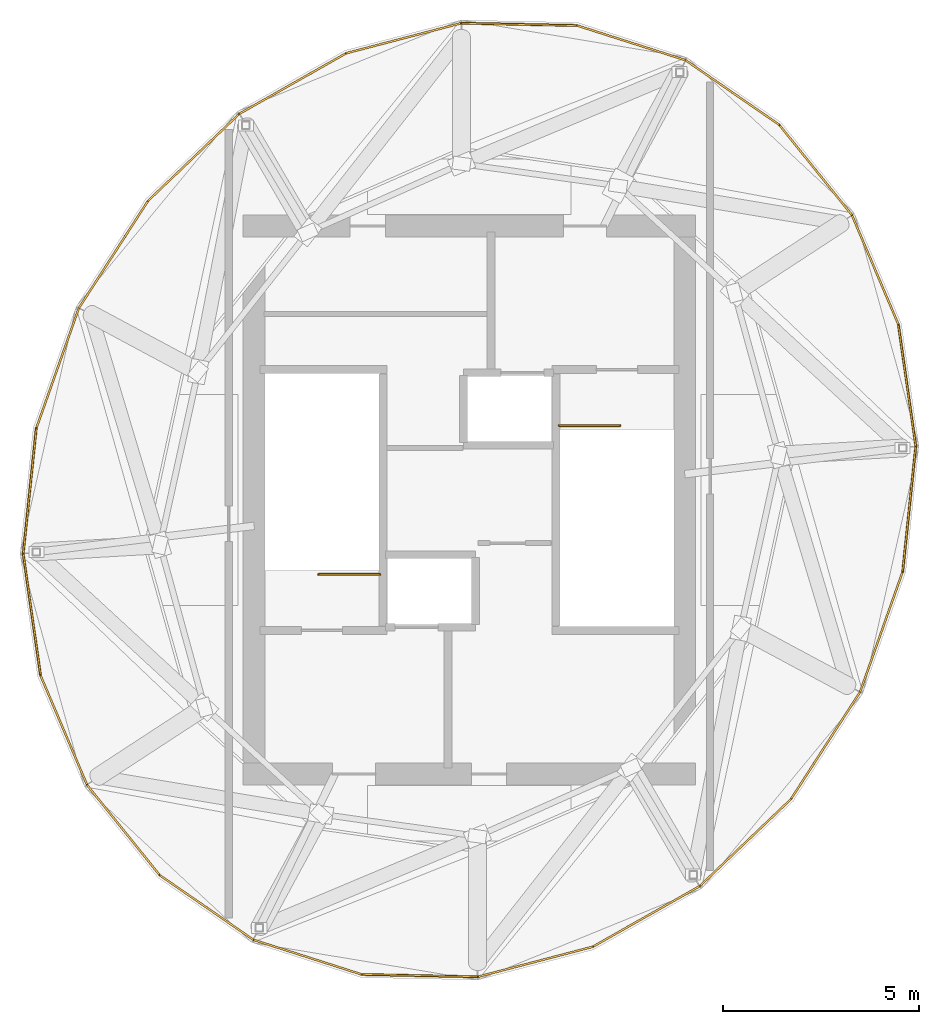
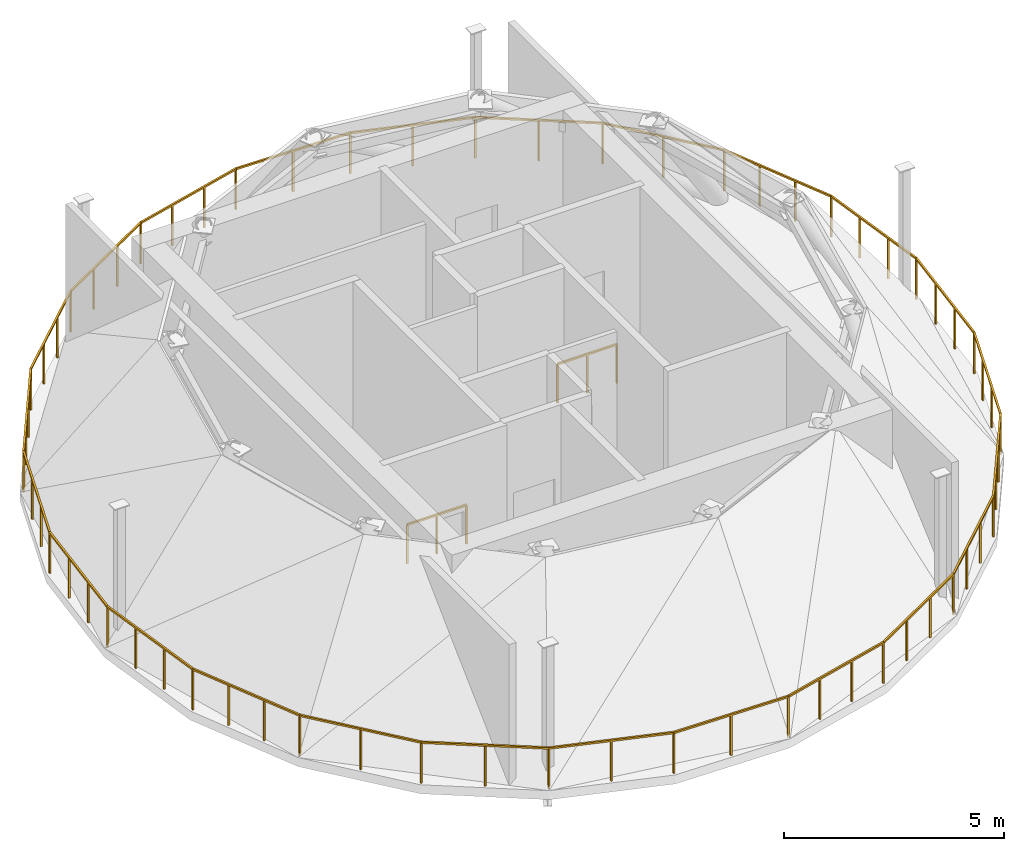
# One storey, part 4 of 4: 26 railings.
"""IFC4 building model written with IfcOpenShell, lengths in metres."""

from ifc_helpers import new_model, si_unit, direction, frame, origin, origin_2d, place, context, subcontext, project, spatial, rectangle, extrude, material, type_object, element, save


model = new_model("IFC4")

# Units and contexts
model_context = context("Model", 3, precision=1e-05, world=origin(), true_north=direction((0.0, 1.0)))
body_context = subcontext(model_context, "Body", "Model", "MODEL_VIEW")
ifc_project = project(units=[si_unit("LENGTHUNIT", "METRE"), si_unit("AREAUNIT", "SQUARE_METRE"), si_unit("VOLUMEUNIT", "CUBIC_METRE"), si_unit("PLANEANGLEUNIT", "RADIAN"), si_unit("MASSUNIT", "GRAM", prefix="KILO")], contexts=[model_context])

# Site, building, storey
site_placement = place(None, origin())
site = spatial("IfcSite", under=ifc_project, at=site_placement, CompositionType="ELEMENT")
building_placement = place(site_placement, origin())
building = spatial("IfcBuilding", under=site, at=building_placement, Name="Veldorim Arch Residences", CompositionType="ELEMENT")
storey_placement = place(building_placement, frame((0.0, 0.0, 255.199951171875)))
storey = spatial("IfcBuildingStorey", under=building, at=storey_placement, Name="L76", CompositionType="ELEMENT", Elevation=255.199951171875)

# Railings
ifc_material_1 = material(Name="Aluminium", Category="aluminium")
railing_type_1 = type_object("IfcRailingType", Name="Balcony & Terrace Laminated Glass Balustrade 1150", PredefinedType="BALUSTRADE", material=ifc_material_1)
railing_1_placement = place(storey_placement, frame((37.519287109375, 35.23681640625, 0.0)))
element("IfcRailing", 1, at=railing_1_placement, inside=storey, type_object=railing_type_1, Name="L76 crown plant perimeter safety balustrade 01", PredefinedType="BALUSTRADE", context=body_context, shape_type="SweptSolid", body=[
    extrude(rectangle(XDim=0.048095703125, YDim=0.048095703125, at=origin_2d()), frame((0.0, 0.0, 1.1259765625), z_axis=(0.823279099973, -0.567636788403, 0.0), x_axis=(0.567636788403, 0.823279099973, 0.0)), (0.0, 0.0, 1.0), 2.906982421875),
    extrude(rectangle(XDim=0.0419921875, YDim=0.0419921875, at=origin_2d()), origin(), (0.0, 0.0, 1.0), 1.101806640625),
    extrude(rectangle(XDim=0.0419921875, YDim=0.0419921875, at=origin_2d()), frame((1.19677734375, -0.8251953125, 0.0)), (0.0, 0.0, 1.0), 1.101806640625),
    extrude(rectangle(XDim=0.0419921875, YDim=0.0419921875, at=origin_2d()), frame((2.393310546875, -1.650146484375, 0.0)), (0.0, 0.0, 1.0), 1.101806640625),
])
railing_2_placement = place(storey_placement, frame((39.91259765625, 33.586669921875, 0.0)))
element("IfcRailing", 2, at=railing_2_placement, inside=storey, type_object=railing_type_1, Name="L76 crown plant perimeter safety balustrade 02", PredefinedType="BALUSTRADE", context=body_context, shape_type="SweptSolid", body=[
    extrude(rectangle(XDim=0.048095703125, YDim=0.048095703125, at=origin_2d()), frame((0.0, 0.0, 1.1259765625), z_axis=(0.62733927296, -0.778746066829, 0.0), x_axis=(0.778746066829, 0.62733927296, 0.0)), (0.0, 0.0, 1.0), 2.957275390625),
    extrude(rectangle(XDim=0.0419921875, YDim=0.0419921875, at=origin_2d()), origin(), (0.0, 0.0, 1.0), 1.101806640625),
    extrude(rectangle(XDim=0.0419921875, YDim=0.0419921875, at=origin_2d()), frame((0.927734375, -1.1513671875, 0.0)), (0.0, 0.0, 1.0), 1.101806640625),
    extrude(rectangle(XDim=0.0419921875, YDim=0.0419921875, at=origin_2d()), frame((1.855224609375, -2.302978515625, 0.0)), (0.0, 0.0, 1.0), 1.101806640625),
])
railing_3_placement = place(storey_placement, frame((41.767822265625, 31.28369140625, 0.0)))
element("IfcRailing", 3, at=railing_3_placement, inside=storey, type_object=railing_type_1, Name="L76 crown plant perimeter safety balustrade 03", PredefinedType="BALUSTRADE", context=body_context, shape_type="SweptSolid", body=[
    extrude(rectangle(XDim=0.048095703125, YDim=0.048095703125, at=origin_2d()), frame((0.0, 0.0, 1.1259765625), z_axis=(0.391390380671, -0.92022473881, 0.0), x_axis=(0.92022473881, 0.391390380671, 0.0)), (0.0, 0.0, 1.0), 3.042724609375),
    extrude(rectangle(XDim=0.0419921875, YDim=0.0419921875, at=origin_2d()), origin(), (0.0, 0.0, 1.0), 1.101806640625),
    extrude(rectangle(XDim=0.0419921875, YDim=0.0419921875, at=origin_2d()), frame((0.39697265625, -0.933349609375, 0.0)), (0.0, 0.0, 1.0), 1.101806640625),
    extrude(rectangle(XDim=0.0419921875, YDim=0.0419921875, at=origin_2d()), frame((0.7939453125, -1.86669921875, 0.0)), (0.0, 0.0, 1.0), 1.101806640625),
    extrude(rectangle(XDim=0.0419921875, YDim=0.0419921875, at=origin_2d()), frame((1.19091796875, -2.800048828125, 0.0)), (0.0, 0.0, 1.0), 1.101806640625),
])
railing_4_placement = place(storey_placement, frame((42.958740234375, 28.483642578125, 0.0)))
element("IfcRailing", 4, at=railing_4_placement, inside=storey, type_object=railing_type_1, Name="L76 crown plant perimeter safety balustrade 04", PredefinedType="BALUSTRADE", context=body_context, shape_type="SweptSolid", body=[
    extrude(rectangle(XDim=0.048095703125, YDim=0.048095703125, at=origin_2d()), frame((0.0, 0.0, 1.1259765625), z_axis=(0.141508485708, -0.989937042681, 0.0), x_axis=(0.989937042681, 0.141508485708, 0.0)), (0.0, 0.0, 1.0), 3.13818359375),
    extrude(rectangle(XDim=0.0419921875, YDim=0.0419921875, at=origin_2d()), origin(), (0.0, 0.0, 1.0), 1.101806640625),
    extrude(rectangle(XDim=0.0419921875, YDim=0.0419921875, at=origin_2d()), frame((0.14794921875, -1.03564453125, 0.0)), (0.0, 0.0, 1.0), 1.101806640625),
    extrude(rectangle(XDim=0.0419921875, YDim=0.0419921875, at=origin_2d()), frame((0.296142578125, -2.071044921875, 0.0)), (0.0, 0.0, 1.0), 1.101806640625),
    extrude(rectangle(XDim=0.0419921875, YDim=0.0419921875, at=origin_2d()), frame((0.444091796875, -3.106689453125, 0.0)), (0.0, 0.0, 1.0), 1.101806640625),
])
railing_5_placement = place(storey_placement, frame((43.40283203125, 25.376953125, 0.0)))
element("IfcRailing", 5, at=railing_5_placement, inside=storey, type_object=railing_type_1, Name="L76 crown plant perimeter safety balustrade 05", PredefinedType="BALUSTRADE", context=body_context, shape_type="SweptSolid", body=[
    extrude(rectangle(XDim=0.048095703125, YDim=0.048095703125, at=origin_2d()), frame((0.0, 0.0, 1.1259765625), z_axis=(-0.103602958013, -0.994618734537, 0.0), x_axis=(0.994618734537, -0.103602958013, 0.0)), (0.0, 0.0, 1.0), 3.218994140625),
    extrude(rectangle(XDim=0.0419921875, YDim=0.0419921875, at=origin_2d()), origin(), (0.0, 0.0, 1.0), 1.101806640625),
    extrude(rectangle(XDim=0.0419921875, YDim=0.0419921875, at=origin_2d()), frame((-0.111083984375, -1.067138671875, 0.0)), (0.0, 0.0, 1.0), 1.101806640625),
    extrude(rectangle(XDim=0.0419921875, YDim=0.0419921875, at=origin_2d()), frame((-0.222412109375, -2.134521484375, 0.0)), (0.0, 0.0, 1.0), 1.101806640625),
    extrude(rectangle(XDim=0.0419921875, YDim=0.0419921875, at=origin_2d()), frame((-0.33349609375, -3.20166015625, 0.0)), (0.0, 0.0, 1.0), 1.101806640625),
])
railing_6_placement = place(storey_placement, frame((43.0693359375, 22.17529296875, 0.0)))
element("IfcRailing", 6, at=railing_6_placement, inside=storey, type_object=railing_type_1, Name="L76 crown plant perimeter safety balustrade 06", PredefinedType="BALUSTRADE", context=body_context, shape_type="SweptSolid", body=[
    extrude(rectangle(XDim=0.048095703125, YDim=0.048095703125, at=origin_2d()), frame((0.0, 0.0, 1.1259765625), z_axis=(-0.333539794828, -0.942736020987, 0.0), x_axis=(0.942736020987, -0.333539794828, 0.0)), (0.0, 0.0, 1.0), 3.2646484375),
    extrude(rectangle(XDim=0.0419921875, YDim=0.0419921875, at=origin_2d()), origin(), (0.0, 0.0, 1.0), 1.101806640625),
    extrude(rectangle(XDim=0.0419921875, YDim=0.0419921875, at=origin_2d()), frame((-0.363037109375, -1.02587890625, 0.0)), (0.0, 0.0, 1.0), 1.101806640625),
    extrude(rectangle(XDim=0.0419921875, YDim=0.0419921875, at=origin_2d()), frame((-0.725830078125, -2.0517578125, 0.0)), (0.0, 0.0, 1.0), 1.101806640625),
    extrude(rectangle(XDim=0.0419921875, YDim=0.0419921875, at=origin_2d()), frame((-1.0888671875, -3.07763671875, 0.0)), (0.0, 0.0, 1.0), 1.101806640625),
])
railing_7_placement = place(storey_placement, frame((41.98046875, 19.09765625, 0.0)))
element("IfcRailing", 7, at=railing_7_placement, inside=storey, type_object=railing_type_1, Name="L76 crown plant perimeter safety balustrade 07", PredefinedType="BALUSTRADE", context=body_context, shape_type="SweptSolid", body=[
    extrude(rectangle(XDim=0.048095703125, YDim=0.048095703125, at=origin_2d()), frame((0.0, 0.0, 1.1259765625), z_axis=(-0.542264838062, -0.840207620414, 0.0), x_axis=(0.840207620414, -0.542264838062, 0.0)), (0.0, 0.0, 1.0), 3.2646484375),
    extrude(rectangle(XDim=0.0419921875, YDim=0.0419921875, at=origin_2d()), origin(), (0.0, 0.0, 1.0), 1.101806640625),
    extrude(rectangle(XDim=0.0419921875, YDim=0.0419921875, at=origin_2d()), frame((-0.590087890625, -0.914306640625, 0.0)), (0.0, 0.0, 1.0), 1.101806640625),
    extrude(rectangle(XDim=0.0419921875, YDim=0.0419921875, at=origin_2d()), frame((-1.18017578125, -1.82861328125, 0.0)), (0.0, 0.0, 1.0), 1.101806640625),
    extrude(rectangle(XDim=0.0419921875, YDim=0.0419921875, at=origin_2d()), frame((-1.770263671875, -2.742919921875, 0.0)), (0.0, 0.0, 1.0), 1.101806640625),
])
railing_8_placement = place(storey_placement, frame((40.210205078125, 16.354736328125, 0.0)))
element("IfcRailing", 8, at=railing_8_placement, inside=storey, type_object=railing_type_1, Name="L76 crown plant perimeter safety balustrade 08", PredefinedType="BALUSTRADE", context=body_context, shape_type="SweptSolid", body=[
    extrude(rectangle(XDim=0.048095703125, YDim=0.048095703125, at=origin_2d()), frame((0.0, 0.0, 1.1259765625), z_axis=(-0.723818587879, -0.689990327353, 0.0), x_axis=(0.689990327353, -0.723818587879, 0.0)), (0.0, 0.0, 1.0), 3.21875),
    extrude(rectangle(XDim=0.0419921875, YDim=0.0419921875, at=origin_2d()), origin(), (0.0, 0.0, 1.0), 1.101806640625),
    extrude(rectangle(XDim=0.0419921875, YDim=0.0419921875, at=origin_2d()), frame((-0.776611328125, -0.740234375, 0.0)), (0.0, 0.0, 1.0), 1.101806640625),
    extrude(rectangle(XDim=0.0419921875, YDim=0.0419921875, at=origin_2d()), frame((-1.55322265625, -1.480712890625, 0.0)), (0.0, 0.0, 1.0), 1.101806640625),
    extrude(rectangle(XDim=0.0419921875, YDim=0.0419921875, at=origin_2d()), frame((-2.329833984375, -2.220947265625, 0.0)), (0.0, 0.0, 1.0), 1.101806640625),
])
railing_9_placement = place(storey_placement, frame((37.88037109375, 14.1337890625, 0.0)))
element("IfcRailing", 9, at=railing_9_placement, inside=storey, type_object=railing_type_1, Name="L76 crown plant perimeter safety balustrade 09", PredefinedType="BALUSTRADE", context=body_context, shape_type="SweptSolid", body=[
    extrude(rectangle(XDim=0.048095703125, YDim=0.048095703125, at=origin_2d()), frame((0.0, 0.0, 1.1259765625), z_axis=(-0.869975470186, -0.493095002281, 0.0), x_axis=(0.493095002281, -0.869975470186, 0.0)), (0.0, 0.0, 1.0), 3.138671875),
    extrude(rectangle(XDim=0.0419921875, YDim=0.0419921875, at=origin_2d()), origin(), (0.0, 0.0, 1.0), 1.101806640625),
    extrude(rectangle(XDim=0.0419921875, YDim=0.0419921875, at=origin_2d()), frame((-0.91015625, -0.515869140625, 0.0)), (0.0, 0.0, 1.0), 1.101806640625),
    extrude(rectangle(XDim=0.0419921875, YDim=0.0419921875, at=origin_2d()), frame((-1.8203125, -1.03173828125, 0.0)), (0.0, 0.0, 1.0), 1.101806640625),
    extrude(rectangle(XDim=0.0419921875, YDim=0.0419921875, at=origin_2d()), frame((-2.73046875, -1.547607421875, 0.0)), (0.0, 0.0, 1.0), 1.101806640625),
])
railing_10_placement = place(storey_placement, frame((35.14990234375, 12.586181640625, 0.0)))
element("IfcRailing", 10, at=railing_10_placement, inside=storey, type_object=railing_type_1, Name="L76 crown plant perimeter safety balustrade 10", PredefinedType="BALUSTRADE", context=body_context, shape_type="SweptSolid", body=[
    extrude(rectangle(XDim=0.048095703125, YDim=0.048095703125, at=origin_2d()), frame((0.0, 0.0, 1.1259765625), z_axis=(-0.967530300531, -0.252755054459, 0.0), x_axis=(0.252755054459, -0.967530300531, 0.0)), (0.0, 0.0, 1.0), 3.042724609375),
    extrude(rectangle(XDim=0.0419921875, YDim=0.0419921875, at=origin_2d()), origin(), (0.0, 0.0, 1.0), 1.101806640625),
    extrude(rectangle(XDim=0.0419921875, YDim=0.0419921875, at=origin_2d()), frame((-0.981201171875, -0.25634765625, 0.0)), (0.0, 0.0, 1.0), 1.101806640625),
    extrude(rectangle(XDim=0.0419921875, YDim=0.0419921875, at=origin_2d()), frame((-1.962646484375, -0.5126953125, 0.0)), (0.0, 0.0, 1.0), 1.101806640625),
    extrude(rectangle(XDim=0.0419921875, YDim=0.0419921875, at=origin_2d()), frame((-2.94384765625, -0.76904296875, 0.0)), (0.0, 0.0, 1.0), 1.101806640625),
])
railing_11_placement = place(storey_placement, frame((32.2060546875, 11.817138671875, 0.0)))
element("IfcRailing", 11, at=railing_11_placement, inside=storey, type_object=railing_type_1, Name="L76 crown plant perimeter safety balustrade 11", PredefinedType="BALUSTRADE", context=body_context, shape_type="SweptSolid", body=[
    extrude(rectangle(XDim=0.048095703125, YDim=0.048095703125, at=origin_2d()), frame((0.0, 0.0, 1.1259765625), z_axis=(-0.999790406986, 0.020472960196, 0.0), x_axis=(-0.020472960196, -0.999790406986, 0.0)), (0.0, 0.0, 1.0), 2.95751953125),
    extrude(rectangle(XDim=0.0419921875, YDim=0.0419921875, at=origin_2d()), origin(), (0.0, 0.0, 1.0), 1.101806640625),
    extrude(rectangle(XDim=0.0419921875, YDim=0.0419921875, at=origin_2d()), frame((-1.478515625, 0.0302734375, 0.0)), (0.0, 0.0, 1.0), 1.101806640625),
    extrude(rectangle(XDim=0.0419921875, YDim=0.0419921875, at=origin_2d()), frame((-2.956787109375, 0.060546875, 0.0)), (0.0, 0.0, 1.0), 1.101806640625),
])
railing_12_placement = place(storey_placement, frame((29.249267578125, 11.877685546875, 0.0)))
element("IfcRailing", 12, at=railing_12_placement, inside=storey, type_object=railing_type_1, Name="L76 crown plant perimeter safety balustrade 12", PredefinedType="BALUSTRADE", context=body_context, shape_type="SweptSolid", body=[
    extrude(rectangle(XDim=0.048095703125, YDim=0.048095703125, at=origin_2d()), frame((0.0, 0.0, 1.1259765625), z_axis=(-0.952468022783, 0.30463858189, 0.0), x_axis=(-0.30463858189, -0.952468022783, 0.0)), (0.0, 0.0, 1.0), 2.90673828125),
    extrude(rectangle(XDim=0.0419921875, YDim=0.0419921875, at=origin_2d()), origin(), (0.0, 0.0, 1.0), 1.101806640625),
    extrude(rectangle(XDim=0.0419921875, YDim=0.0419921875, at=origin_2d()), frame((-1.38427734375, 0.44287109375, 0.0)), (0.0, 0.0, 1.0), 1.101806640625),
    extrude(rectangle(XDim=0.0419921875, YDim=0.0419921875, at=origin_2d()), frame((-2.7685546875, 0.885498046875, 0.0)), (0.0, 0.0, 1.0), 1.101806640625),
])
railing_13_placement = place(storey_placement, frame((26.480712890625, 12.76318359375, 0.0)))
element("IfcRailing", 13, at=railing_13_placement, inside=storey, type_object=railing_type_1, Name="L76 crown plant perimeter safety balustrade 13", PredefinedType="BALUSTRADE", context=body_context, shape_type="SweptSolid", body=[
    extrude(rectangle(XDim=0.048095703125, YDim=0.048095703125, at=origin_2d()), frame((0.0, 0.0, 1.1259765625), z_axis=(-0.823279099973, 0.567636788403, 0.0), x_axis=(-0.567636788403, -0.823279099973, 0.0)), (0.0, 0.0, 1.0), 2.906982421875),
    extrude(rectangle(XDim=0.0419921875, YDim=0.0419921875, at=origin_2d()), origin(), (0.0, 0.0, 1.0), 1.101806640625),
    extrude(rectangle(XDim=0.0419921875, YDim=0.0419921875, at=origin_2d()), frame((-1.19677734375, 0.8251953125, 0.0)), (0.0, 0.0, 1.0), 1.101806640625),
    extrude(rectangle(XDim=0.0419921875, YDim=0.0419921875, at=origin_2d()), frame((-2.393310546875, 1.650146484375, 0.0)), (0.0, 0.0, 1.0), 1.101806640625),
])
railing_14_placement = place(storey_placement, frame((24.08740234375, 14.413330078125, 0.0)))
element("IfcRailing", 14, at=railing_14_placement, inside=storey, type_object=railing_type_1, Name="L76 crown plant perimeter safety balustrade 14", PredefinedType="BALUSTRADE", context=body_context, shape_type="SweptSolid", body=[
    extrude(rectangle(XDim=0.048095703125, YDim=0.048095703125, at=origin_2d()), frame((0.0, 0.0, 1.1259765625), z_axis=(-0.62733927296, 0.778746066829, 0.0), x_axis=(-0.778746066829, -0.62733927296, 0.0)), (0.0, 0.0, 1.0), 2.957275390625),
    extrude(rectangle(XDim=0.0419921875, YDim=0.0419921875, at=origin_2d()), origin(), (0.0, 0.0, 1.0), 1.101806640625),
    extrude(rectangle(XDim=0.0419921875, YDim=0.0419921875, at=origin_2d()), frame((-0.927734375, 1.1513671875, 0.0)), (0.0, 0.0, 1.0), 1.101806640625),
    extrude(rectangle(XDim=0.0419921875, YDim=0.0419921875, at=origin_2d()), frame((-1.855224609375, 2.302978515625, 0.0)), (0.0, 0.0, 1.0), 1.101806640625),
])
railing_15_placement = place(storey_placement, frame((22.232177734375, 16.71630859375, 0.0)))
element("IfcRailing", 15, at=railing_15_placement, inside=storey, type_object=railing_type_1, Name="L76 crown plant perimeter safety balustrade 15", PredefinedType="BALUSTRADE", context=body_context, shape_type="SweptSolid", body=[
    extrude(rectangle(XDim=0.048095703125, YDim=0.048095703125, at=origin_2d()), frame((0.0, 0.0, 1.1259765625), z_axis=(-0.391390380671, 0.92022473881, 0.0), x_axis=(-0.92022473881, -0.391390380671, 0.0)), (0.0, 0.0, 1.0), 3.042724609375),
    extrude(rectangle(XDim=0.0419921875, YDim=0.0419921875, at=origin_2d()), origin(), (0.0, 0.0, 1.0), 1.101806640625),
    extrude(rectangle(XDim=0.0419921875, YDim=0.0419921875, at=origin_2d()), frame((-0.39697265625, 0.933349609375, 0.0)), (0.0, 0.0, 1.0), 1.101806640625),
    extrude(rectangle(XDim=0.0419921875, YDim=0.0419921875, at=origin_2d()), frame((-0.7939453125, 1.86669921875, 0.0)), (0.0, 0.0, 1.0), 1.101806640625),
    extrude(rectangle(XDim=0.0419921875, YDim=0.0419921875, at=origin_2d()), frame((-1.19091796875, 2.800048828125, 0.0)), (0.0, 0.0, 1.0), 1.101806640625),
])
railing_16_placement = place(storey_placement, frame((21.041259765625, 19.516357421875, 0.0)))
element("IfcRailing", 16, at=railing_16_placement, inside=storey, type_object=railing_type_1, Name="L76 crown plant perimeter safety balustrade 16", PredefinedType="BALUSTRADE", context=body_context, shape_type="SweptSolid", body=[
    extrude(rectangle(XDim=0.048095703125, YDim=0.048095703125, at=origin_2d()), frame((0.0, 0.0, 1.1259765625), z_axis=(-0.141508485708, 0.989937042681, 0.0), x_axis=(-0.989937042681, -0.141508485708, 0.0)), (0.0, 0.0, 1.0), 3.13818359375),
    extrude(rectangle(XDim=0.0419921875, YDim=0.0419921875, at=origin_2d()), origin(), (0.0, 0.0, 1.0), 1.101806640625),
    extrude(rectangle(XDim=0.0419921875, YDim=0.0419921875, at=origin_2d()), frame((-0.14794921875, 1.03564453125, 0.0)), (0.0, 0.0, 1.0), 1.101806640625),
    extrude(rectangle(XDim=0.0419921875, YDim=0.0419921875, at=origin_2d()), frame((-0.296142578125, 2.071044921875, 0.0)), (0.0, 0.0, 1.0), 1.101806640625),
    extrude(rectangle(XDim=0.0419921875, YDim=0.0419921875, at=origin_2d()), frame((-0.444091796875, 3.106689453125, 0.0)), (0.0, 0.0, 1.0), 1.101806640625),
])
railing_17_placement = place(storey_placement, frame((20.59716796875, 22.623046875, 0.0)))
element("IfcRailing", 17, at=railing_17_placement, inside=storey, type_object=railing_type_1, Name="L76 crown plant perimeter safety balustrade 17", PredefinedType="BALUSTRADE", context=body_context, shape_type="SweptSolid", body=[
    extrude(rectangle(XDim=0.048095703125, YDim=0.048095703125, at=origin_2d()), frame((0.0, 0.0, 1.1259765625), z_axis=(0.103602958013, 0.994618734537, 0.0), x_axis=(-0.994618734537, 0.103602958013, 0.0)), (0.0, 0.0, 1.0), 3.218994140625),
    extrude(rectangle(XDim=0.0419921875, YDim=0.0419921875, at=origin_2d()), origin(), (0.0, 0.0, 1.0), 1.101806640625),
    extrude(rectangle(XDim=0.0419921875, YDim=0.0419921875, at=origin_2d()), frame((0.111083984375, 1.067138671875, 0.0)), (0.0, 0.0, 1.0), 1.101806640625),
    extrude(rectangle(XDim=0.0419921875, YDim=0.0419921875, at=origin_2d()), frame((0.222412109375, 2.134521484375, 0.0)), (0.0, 0.0, 1.0), 1.101806640625),
    extrude(rectangle(XDim=0.0419921875, YDim=0.0419921875, at=origin_2d()), frame((0.33349609375, 3.20166015625, 0.0)), (0.0, 0.0, 1.0), 1.101806640625),
])
railing_18_placement = place(storey_placement, frame((20.9306640625, 25.82470703125, 0.0)))
element("IfcRailing", 18, at=railing_18_placement, inside=storey, type_object=railing_type_1, Name="L76 crown plant perimeter safety balustrade 18", PredefinedType="BALUSTRADE", context=body_context, shape_type="SweptSolid", body=[
    extrude(rectangle(XDim=0.048095703125, YDim=0.048095703125, at=origin_2d()), frame((0.0, 0.0, 1.1259765625), z_axis=(0.333539794828, 0.942736020987, 0.0), x_axis=(-0.942736020987, 0.333539794828, 0.0)), (0.0, 0.0, 1.0), 3.2646484375),
    extrude(rectangle(XDim=0.0419921875, YDim=0.0419921875, at=origin_2d()), origin(), (0.0, 0.0, 1.0), 1.101806640625),
    extrude(rectangle(XDim=0.0419921875, YDim=0.0419921875, at=origin_2d()), frame((0.363037109375, 1.02587890625, 0.0)), (0.0, 0.0, 1.0), 1.101806640625),
    extrude(rectangle(XDim=0.0419921875, YDim=0.0419921875, at=origin_2d()), frame((0.725830078125, 2.0517578125, 0.0)), (0.0, 0.0, 1.0), 1.101806640625),
    extrude(rectangle(XDim=0.0419921875, YDim=0.0419921875, at=origin_2d()), frame((1.0888671875, 3.07763671875, 0.0)), (0.0, 0.0, 1.0), 1.101806640625),
])
railing_19_placement = place(storey_placement, frame((22.01953125, 28.90234375, 0.0)))
element("IfcRailing", 19, at=railing_19_placement, inside=storey, type_object=railing_type_1, Name="L76 crown plant perimeter safety balustrade 19", PredefinedType="BALUSTRADE", context=body_context, shape_type="SweptSolid", body=[
    extrude(rectangle(XDim=0.048095703125, YDim=0.048095703125, at=origin_2d()), frame((0.0, 0.0, 1.1259765625), z_axis=(0.542264838062, 0.840207620414, 0.0), x_axis=(-0.840207620414, 0.542264838062, 0.0)), (0.0, 0.0, 1.0), 3.2646484375),
    extrude(rectangle(XDim=0.0419921875, YDim=0.0419921875, at=origin_2d()), origin(), (0.0, 0.0, 1.0), 1.101806640625),
    extrude(rectangle(XDim=0.0419921875, YDim=0.0419921875, at=origin_2d()), frame((0.590087890625, 0.914306640625, 0.0)), (0.0, 0.0, 1.0), 1.101806640625),
    extrude(rectangle(XDim=0.0419921875, YDim=0.0419921875, at=origin_2d()), frame((1.18017578125, 1.82861328125, 0.0)), (0.0, 0.0, 1.0), 1.101806640625),
    extrude(rectangle(XDim=0.0419921875, YDim=0.0419921875, at=origin_2d()), frame((1.770263671875, 2.742919921875, 0.0)), (0.0, 0.0, 1.0), 1.101806640625),
])
railing_20_placement = place(storey_placement, frame((23.789794921875, 31.645263671875, 0.0)))
element("IfcRailing", 20, at=railing_20_placement, inside=storey, type_object=railing_type_1, Name="L76 crown plant perimeter safety balustrade 20", PredefinedType="BALUSTRADE", context=body_context, shape_type="SweptSolid", body=[
    extrude(rectangle(XDim=0.048095703125, YDim=0.048095703125, at=origin_2d()), frame((0.0, 0.0, 1.1259765625), z_axis=(0.723818587879, 0.689990327353, 0.0), x_axis=(-0.689990327353, 0.723818587879, 0.0)), (0.0, 0.0, 1.0), 3.21875),
    extrude(rectangle(XDim=0.0419921875, YDim=0.0419921875, at=origin_2d()), origin(), (0.0, 0.0, 1.0), 1.101806640625),
    extrude(rectangle(XDim=0.0419921875, YDim=0.0419921875, at=origin_2d()), frame((0.776611328125, 0.740234375, 0.0)), (0.0, 0.0, 1.0), 1.101806640625),
    extrude(rectangle(XDim=0.0419921875, YDim=0.0419921875, at=origin_2d()), frame((1.55322265625, 1.480712890625, 0.0)), (0.0, 0.0, 1.0), 1.101806640625),
    extrude(rectangle(XDim=0.0419921875, YDim=0.0419921875, at=origin_2d()), frame((2.329833984375, 2.220947265625, 0.0)), (0.0, 0.0, 1.0), 1.101806640625),
])
railing_21_placement = place(storey_placement, frame((26.11962890625, 33.8662109375, 0.0)))
element("IfcRailing", 21, at=railing_21_placement, inside=storey, type_object=railing_type_1, Name="L76 crown plant perimeter safety balustrade 21", PredefinedType="BALUSTRADE", context=body_context, shape_type="SweptSolid", body=[
    extrude(rectangle(XDim=0.048095703125, YDim=0.048095703125, at=origin_2d()), frame((0.0, 0.0, 1.1259765625), z_axis=(0.869975470186, 0.493095002281, 0.0), x_axis=(-0.493095002281, 0.869975470186, 0.0)), (0.0, 0.0, 1.0), 3.138671875),
    extrude(rectangle(XDim=0.0419921875, YDim=0.0419921875, at=origin_2d()), origin(), (0.0, 0.0, 1.0), 1.101806640625),
    extrude(rectangle(XDim=0.0419921875, YDim=0.0419921875, at=origin_2d()), frame((0.91015625, 0.515869140625, 0.0)), (0.0, 0.0, 1.0), 1.101806640625),
    extrude(rectangle(XDim=0.0419921875, YDim=0.0419921875, at=origin_2d()), frame((1.8203125, 1.03173828125, 0.0)), (0.0, 0.0, 1.0), 1.101806640625),
    extrude(rectangle(XDim=0.0419921875, YDim=0.0419921875, at=origin_2d()), frame((2.73046875, 1.547607421875, 0.0)), (0.0, 0.0, 1.0), 1.101806640625),
])
railing_22_placement = place(storey_placement, frame((28.85009765625, 35.413818359375, 0.0)))
element("IfcRailing", 22, at=railing_22_placement, inside=storey, type_object=railing_type_1, Name="L76 crown plant perimeter safety balustrade 22", PredefinedType="BALUSTRADE", context=body_context, shape_type="SweptSolid", body=[
    extrude(rectangle(XDim=0.048095703125, YDim=0.048095703125, at=origin_2d()), frame((0.0, 0.0, 1.1259765625), z_axis=(0.967530300531, 0.252755054459, 0.0), x_axis=(-0.252755054459, 0.967530300531, 0.0)), (0.0, 0.0, 1.0), 3.042724609375),
    extrude(rectangle(XDim=0.0419921875, YDim=0.0419921875, at=origin_2d()), origin(), (0.0, 0.0, 1.0), 1.101806640625),
    extrude(rectangle(XDim=0.0419921875, YDim=0.0419921875, at=origin_2d()), frame((0.981201171875, 0.25634765625, 0.0)), (0.0, 0.0, 1.0), 1.101806640625),
    extrude(rectangle(XDim=0.0419921875, YDim=0.0419921875, at=origin_2d()), frame((1.962646484375, 0.5126953125, 0.0)), (0.0, 0.0, 1.0), 1.101806640625),
    extrude(rectangle(XDim=0.0419921875, YDim=0.0419921875, at=origin_2d()), frame((2.94384765625, 0.76904296875, 0.0)), (0.0, 0.0, 1.0), 1.101806640625),
])
railing_23_placement = place(storey_placement, frame((31.7939453125, 36.182861328125, 0.0)))
element("IfcRailing", 23, at=railing_23_placement, inside=storey, type_object=railing_type_1, Name="L76 crown plant perimeter safety balustrade 23", PredefinedType="BALUSTRADE", context=body_context, shape_type="SweptSolid", body=[
    extrude(rectangle(XDim=0.048095703125, YDim=0.048095703125, at=origin_2d()), frame((0.0, 0.0, 1.1259765625), z_axis=(0.999790406986, -0.020472960196, 0.0), x_axis=(0.020472960196, 0.999790406986, 0.0)), (0.0, 0.0, 1.0), 2.95751953125),
    extrude(rectangle(XDim=0.0419921875, YDim=0.0419921875, at=origin_2d()), origin(), (0.0, 0.0, 1.0), 1.101806640625),
    extrude(rectangle(XDim=0.0419921875, YDim=0.0419921875, at=origin_2d()), frame((1.478515625, -0.0302734375, 0.0)), (0.0, 0.0, 1.0), 1.101806640625),
    extrude(rectangle(XDim=0.0419921875, YDim=0.0419921875, at=origin_2d()), frame((2.956787109375, -0.060546875, 0.0)), (0.0, 0.0, 1.0), 1.101806640625),
])
railing_24_placement = place(storey_placement, frame((34.750732421875, 36.122314453125, 0.0)))
element("IfcRailing", 24, at=railing_24_placement, inside=storey, type_object=railing_type_1, Name="L76 crown plant perimeter safety balustrade 24", PredefinedType="BALUSTRADE", context=body_context, shape_type="SweptSolid", body=[
    extrude(rectangle(XDim=0.048095703125, YDim=0.048095703125, at=origin_2d()), frame((0.0, 0.0, 1.1259765625), z_axis=(0.952468022783, -0.30463858189, 0.0), x_axis=(0.30463858189, 0.952468022783, 0.0)), (0.0, 0.0, 1.0), 2.90673828125),
    extrude(rectangle(XDim=0.0419921875, YDim=0.0419921875, at=origin_2d()), origin(), (0.0, 0.0, 1.0), 1.101806640625),
    extrude(rectangle(XDim=0.0419921875, YDim=0.0419921875, at=origin_2d()), frame((1.38427734375, -0.44287109375, 0.0)), (0.0, 0.0, 1.0), 1.101806640625),
    extrude(rectangle(XDim=0.0419921875, YDim=0.0419921875, at=origin_2d()), frame((2.7685546875, -0.885498046875, 0.0)), (0.0, 0.0, 1.0), 1.101806640625),
])
ifc_material_2 = material(Name="Steel S355", Category="steel")
railing_type_2 = type_object("IfcRailingType", Name="Galvanised Steel Stair Safety Guardrail 1100", PredefinedType="GUARDRAIL", material=ifc_material_2)
railing_25_placement = place(storey_placement, frame((29.7099609375, 22.10009765625, 0.0)))
element("IfcRailing", 25, at=railing_25_placement, inside=storey, type_object=railing_type_2, Name="L76 ST-1 top well guard 1", PredefinedType="GUARDRAIL", context=body_context, shape_type="SweptSolid", body=[
    extrude(rectangle(XDim=0.048095703125, YDim=0.048095703125, at=origin_2d()), frame((0.0, 0.0, 1.076171875), z_axis=(-1.0, 0.0, 0.0), x_axis=(0.0, -1.0, 0.0)), (0.0, 0.0, 1.0), 1.56005859375),
    extrude(rectangle(XDim=0.0419921875, YDim=0.0419921875, at=origin_2d()), origin(), (0.0, 0.0, 1.0), 1.052001953125),
    extrude(rectangle(XDim=0.0419921875, YDim=0.0419921875, at=origin_2d()), frame((-0.780029296875, 0.0, 0.0)), (0.0, 0.0, 1.0), 1.052001953125),
    extrude(rectangle(XDim=0.0419921875, YDim=0.0419921875, at=origin_2d()), frame((-1.56005859375, 0.0, 0.0)), (0.0, 0.0, 1.0), 1.052001953125),
])
railing_26_placement = place(storey_placement, frame((34.2900390625, 25.89990234375, 0.0)))
element("IfcRailing", 26, at=railing_26_placement, inside=storey, type_object=railing_type_2, Name="L76 ST-2 top well guard 1", PredefinedType="GUARDRAIL", context=body_context, shape_type="SweptSolid", body=[
    extrude(rectangle(XDim=0.048095703125, YDim=0.048095703125, at=origin_2d()), frame((0.0, 0.0, 1.076171875), z_axis=(1.0, 0.0, 0.0), x_axis=(0.0, 1.0, 0.0)), (0.0, 0.0, 1.0), 1.56005859375),
    extrude(rectangle(XDim=0.0419921875, YDim=0.0419921875, at=origin_2d()), origin(), (0.0, 0.0, 1.0), 1.052001953125),
    extrude(rectangle(XDim=0.0419921875, YDim=0.0419921875, at=origin_2d()), frame((0.780029296875, 0.0, 0.0)), (0.0, 0.0, 1.0), 1.052001953125),
    extrude(rectangle(XDim=0.0419921875, YDim=0.0419921875, at=origin_2d()), frame((1.56005859375, 0.0, 0.0)), (0.0, 0.0, 1.0), 1.052001953125),
])

save(model, "model.ifc")
